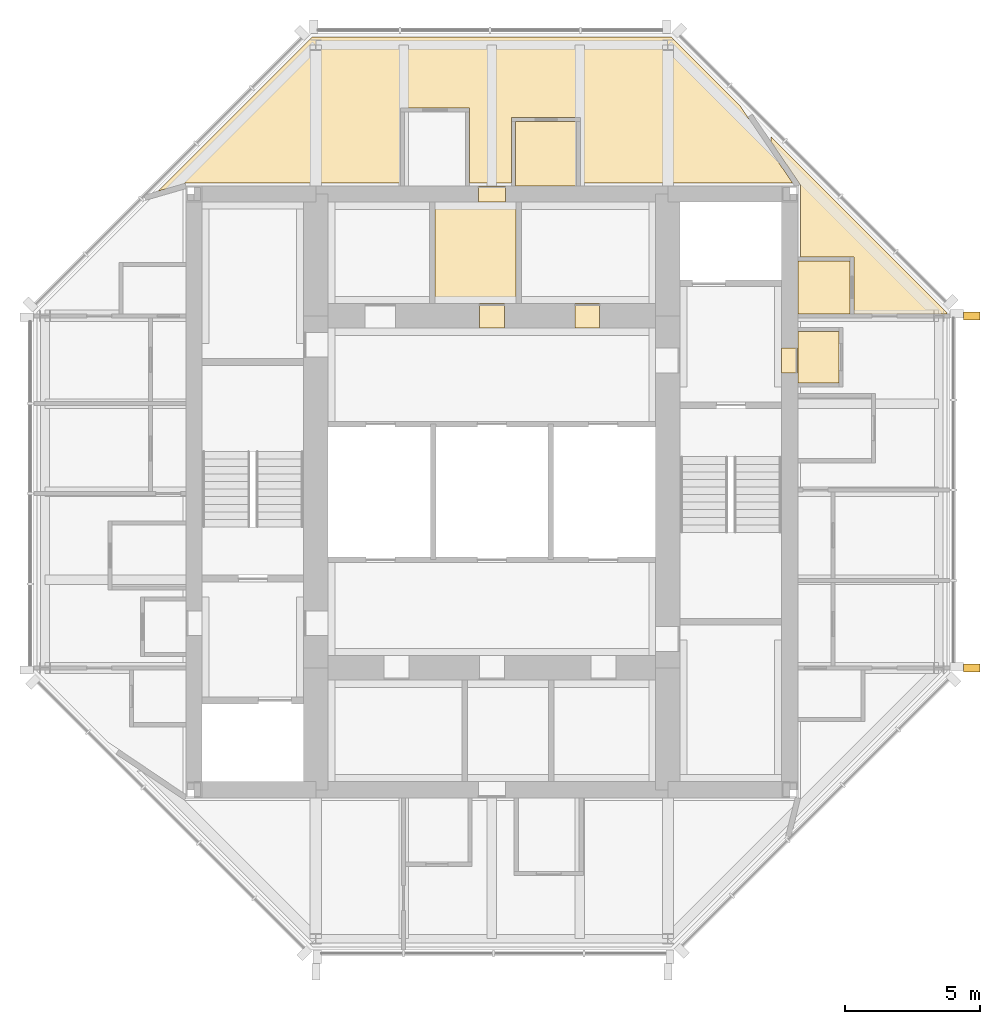
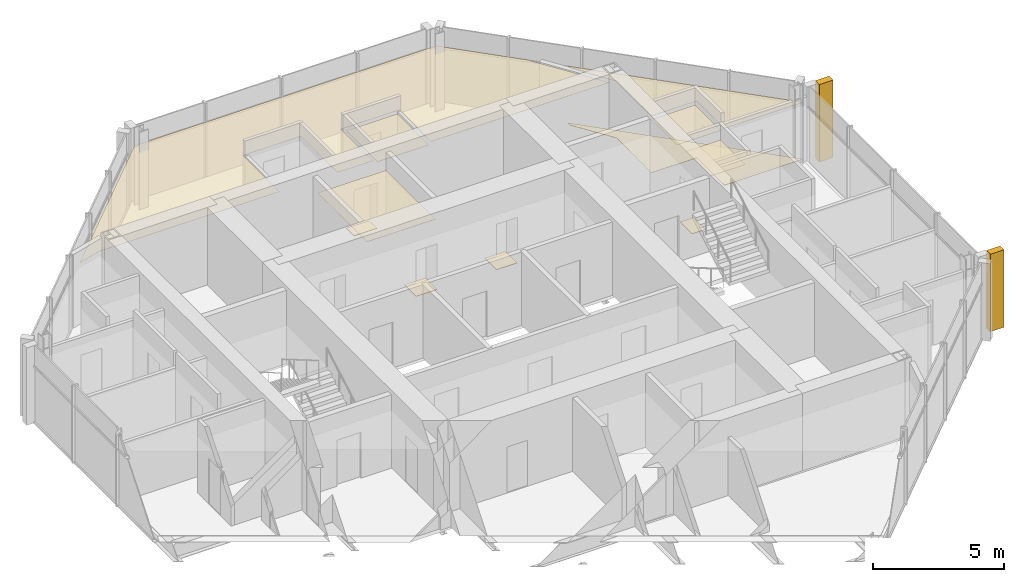
# One storey, part 9 of 9: 13 coverings.
"""IFC4 building model written with IfcOpenShell, lengths in metres."""

import ifcopenshell
import ifcopenshell.guid

model = None  # the IFC model being written
_history = None  # IfcOwnerHistory: only IFC2X3 demands one
_inside = {}  # id of a spatial element -> (the spatial element, [elements in it])
_under = {}  # id of a project, library or spatial element -> (it, [spatial elements below it])
_declared = {}  # id of a project -> (the project, [libraries it declares])
_typed = {}  # id of a type object -> (the type object, [elements of that type])
_made_of = {}  # id of a material, layer set ... -> (it, [elements and type objects made of it])


def new_model(schema):
    """Start an empty IFC model of exactly this schema.

    Asked for "IFC4X3", IfcOpenShell would pick the latest addendum, in which some entities
    have other attributes; the version numbers below select the first issue.
    IFC2X3 requires an IfcOwnerHistory on every rooted entity: one is made here for all.
    """
    global model, _history
    if schema == "IFC4X3":
        model = ifcopenshell.file(schema_version=(4, 3, 0, 0))
    else:
        model = ifcopenshell.file(schema=schema)
    _inside.clear()
    _under.clear()
    _declared.clear()
    _typed.clear()
    _made_of.clear()
    _history = None
    if model.schema == "IFC2X3":
        org = make("IfcOrganization", Name="unknown")
        user = make(
            "IfcPersonAndOrganization",
            ThePerson=make("IfcPerson", FamilyName="unknown"),
            TheOrganization=org,
        )
        app = make(
            "IfcApplication",
            ApplicationDeveloper=org,
            Version="unknown",
            ApplicationFullName="unknown",
            ApplicationIdentifier="unknown",
        )
        _history = make(
            "IfcOwnerHistory",
            OwningUser=user,
            OwningApplication=app,
            ChangeAction="ADDED",
            CreationDate=0,
        )
    return model


def make(cls, **values):
    """One entity of the class cls with the attributes given. An attribute that is None is left unset."""
    return model.create_entity(
        cls, **{name: value for name, value in values.items() if value is not None}
    )


def rooted(cls, **values):
    """An entity with a GlobalId (a new one), such as an element, a storey or a relation."""
    return make(cls, GlobalId=ifcopenshell.guid.new(), OwnerHistory=_history, **values)


def si_unit(unit_type, name, prefix=None):
    """IfcSIUnit, for example si_unit("LENGTHUNIT", "METRE", prefix="MILLI")."""
    return make("IfcSIUnit", UnitType=unit_type, Prefix=prefix, Name=name)


def assignment(units):
    """IfcUnitAssignment: the units of a project."""
    return None if units is None else make("IfcUnitAssignment", Units=units)


def point(xyz):
    """IfcCartesianPoint."""
    return None if xyz is None else make("IfcCartesianPoint", Coordinates=xyz)


def direction(xyz):
    """IfcDirection."""
    return None if xyz is None else make("IfcDirection", DirectionRatios=xyz)


def frame(location, z_axis=None, x_axis=None):
    """IfcAxis2Placement3D, a coordinate frame: its origin and axes. An axis left out is left unset."""
    return make(
        "IfcAxis2Placement3D",
        Location=point(location),
        Axis=direction(z_axis),
        RefDirection=direction(x_axis),
    )


def frame_2d(location, x_axis=None):
    """IfcAxis2Placement2D, a coordinate frame in the plane: its origin and x axis."""
    return make(
        "IfcAxis2Placement2D", Location=point(location), RefDirection=direction(x_axis)
    )


def origin():
    """The frame at (0, 0, 0) with its axes left unset."""
    return frame((0.0, 0.0, 0.0))


def origin_2d():
    """The frame at (0, 0) in the plane with its x axis left unset."""
    return frame_2d((0.0, 0.0))


def place(relative_to, where):
    """IfcLocalPlacement: puts the frame where relative to a parent placement (None: the world)."""
    return make(
        "IfcLocalPlacement", PlacementRelTo=relative_to, RelativePlacement=where
    )


def context(
    kind, dimensions, precision=None, world=None, true_north=None, identifier=None
):
    """IfcGeometricRepresentationContext, for example the 3D "Model" context."""
    return make(
        "IfcGeometricRepresentationContext",
        ContextIdentifier=identifier,
        ContextType=kind,
        CoordinateSpaceDimension=dimensions,
        Precision=precision,
        WorldCoordinateSystem=world,
        TrueNorth=true_north,
    )


def subcontext(parent, identifier, kind, view, scale=None):
    """IfcGeometricRepresentationSubContext, for example "Body" below "Model"."""
    return make(
        "IfcGeometricRepresentationSubContext",
        ContextIdentifier=identifier,
        ContextType=kind,
        ParentContext=parent,
        TargetScale=scale,
        TargetView=view,
    )


def project(units=None, contexts=None):
    """IfcProject with its units and contexts."""
    return rooted(
        "IfcProject",
        Name="project",
        RepresentationContexts=contexts,
        UnitsInContext=assignment(units),
    )


def spatial(cls, under=None, at=None, **own):
    """A site, building, storey or space (cls), placed at a placement, below another one or the project."""
    s = rooted(cls, ObjectPlacement=at, **own)
    if under is not None:
        _under.setdefault(under.id(), (under, []))[1].append(s)
    return s


def polyline(points):
    """IfcPolyline through the points."""
    return make("IfcPolyline", Points=[point(p) for p in points])


def profile(cls, at=None, kind="AREA", **sizes):
    """A parametric profile (cls). Its sizes go by their IFC names, for example OverallWidth=200.0."""
    return make(cls, ProfileType=kind, Position=at, **sizes)


def rectangle(**sizes):
    """IfcRectangleProfileDef."""
    return profile("IfcRectangleProfileDef", **sizes)


def outline(outer, holes=None, kind="AREA"):
    """IfcArbitraryClosedProfileDef: a profile drawn as a closed curve; with holes, ...WithVoids."""
    if holes is None:
        return make("IfcArbitraryClosedProfileDef", ProfileType=kind, OuterCurve=outer)
    return make(
        "IfcArbitraryProfileDefWithVoids",
        ProfileType=kind,
        OuterCurve=outer,
        InnerCurves=holes,
    )


def extrude(swept, where, along, depth):
    """IfcExtrudedAreaSolid: the profile swept, set in the frame where, extruded along a direction by depth."""
    return make(
        "IfcExtrudedAreaSolid",
        SweptArea=swept,
        Position=where,
        ExtrudedDirection=direction(along),
        Depth=depth,
    )


def shape(context_of_items, identifier, shape_type, items):
    """IfcShapeRepresentation: the items that make up one representation, for example the "Body"."""
    return make(
        "IfcShapeRepresentation",
        ContextOfItems=context_of_items,
        RepresentationIdentifier=identifier,
        RepresentationType=shape_type,
        Items=items,
    )


def material(Name=None, Category=None):
    """IfcMaterial."""
    return make("IfcMaterial", Name=Name, Category=Category)


def layer(
    of_material, thickness, ventilated=None, Name=None, Category=None, Priority=None
):
    """IfcMaterialLayer: one layer of a wall or slab, of a material (None: an air gap)."""
    return make(
        "IfcMaterialLayer",
        Material=of_material,
        LayerThickness=thickness,
        IsVentilated=ventilated,
        Name=Name,
        Category=Category,
        Priority=Priority,
    )


def layer_set(layers, Name=None):
    """IfcMaterialLayerSet."""
    return make("IfcMaterialLayerSet", MaterialLayers=layers, LayerSetName=Name)


def made_of(thing, what):
    """Note that an element or type object is made of a material, layer set ...; save() writes the relation."""
    if what is not None:
        _made_of.setdefault(what.id(), (what, []))[1].append(thing)
    return thing


def type_object(cls, material=None, **own):
    """A type object (cls), such as IfcWallType, which elements share."""
    return made_of(rooted(cls, **own), material)


def element(
    cls,
    number,
    at=None,
    inside=None,
    cuts=None,
    type_object=None,
    material=None,
    context=None,
    identifier="Body",
    shape_type=None,
    held_by="IfcProductDefinitionShape",
    body=None,
    shapes=None,
    **own,
):
    """One element of the class cls, such as IfcWall. Its Tag is "e" and its number.

    at: its placement. inside: the storey or other place that contains it. cuts: it is an
    opening in that element (IfcRelVoidsElement). A single representation is given by context,
    identifier, shape_type and body (its items); several are given by shapes. held_by: the class
    of the entity that holds the representations. save() writes the other relations.
    """
    e = rooted(cls, Tag="e%d" % number, ObjectPlacement=at, **own)
    if body is not None:
        shapes = [shape(context, identifier, shape_type, body)]
    if shapes is not None:
        e.Representation = make(held_by, Representations=shapes)
    if inside is not None:
        _inside.setdefault(inside.id(), (inside, []))[1].append(e)
    if cuts is not None:
        rooted(
            "IfcRelVoidsElement", RelatingBuildingElement=cuts, RelatedOpeningElement=e
        )
    if type_object is not None:
        _typed.setdefault(type_object.id(), (type_object, []))[1].append(e)
    return made_of(e, material)


def aggregate(whole, parts):
    """IfcRelAggregates: a whole, such as a stair, and the parts it consists of."""
    return rooted("IfcRelAggregates", RelatingObject=whole, RelatedObjects=parts)


def save(model, path):
    """Write the relations noted so far, then the file.

    IfcRelAggregates (storeys below a building ...), IfcRelContainedInSpatialStructure (elements
    in a storey), IfcRelDefinesByType, IfcRelAssociatesMaterial and IfcRelDeclares: one each for
    every whole, place, type object, material and project.
    """
    for whole, parts in _under.values():
        aggregate(whole, parts)
    for where, things in _inside.values():
        rooted(
            "IfcRelContainedInSpatialStructure",
            RelatedElements=things,
            RelatingStructure=where,
        )
    for kind, things in _typed.values():
        rooted("IfcRelDefinesByType", RelatedObjects=things, RelatingType=kind)
    for what, things in _made_of.values():
        rooted("IfcRelAssociatesMaterial", RelatedObjects=things, RelatingMaterial=what)
    for by, libraries in _declared.values():
        rooted("IfcRelDeclares", RelatingContext=by, RelatedDefinitions=libraries)
    model.write(path)


model = new_model("IFC4")

# Units and contexts
model_context = context("Model", 3, precision=1e-05, world=origin(), true_north=direction((0.0, 1.0)))
body_context = subcontext(model_context, "Body", "Model", "MODEL_VIEW")
ifc_project = project(units=[si_unit("LENGTHUNIT", "METRE"), si_unit("AREAUNIT", "SQUARE_METRE"), si_unit("VOLUMEUNIT", "CUBIC_METRE"), si_unit("PLANEANGLEUNIT", "RADIAN"), si_unit("MASSUNIT", "GRAM", prefix="KILO")], contexts=[model_context])

# Site, building, storey
site_placement = place(None, origin())
site = spatial("IfcSite", under=ifc_project, at=site_placement, CompositionType="ELEMENT")
building_placement = place(site_placement, origin())
building = spatial("IfcBuilding", under=site, at=building_placement, Name="Trevanion Tower", CompositionType="ELEMENT")
storey_placement = place(building_placement, frame((0.0, 0.0, 288.39990234375)))
storey = spatial("IfcBuildingStorey", under=building, at=storey_placement, Name="L71", CompositionType="ELEMENT", Elevation=288.39990234375)

# Coverings
ifc_material_1 = material(Name="Mineral fibre acoustic tiles in exposed grid", Category="mineral fibre")
ifc_layer_1 = layer(ifc_material_1, 0.02001953125)
ifc_layer_set_1 = layer_set([ifc_layer_1], Name="CL2 acoustic tile ceiling 20")
covering_type_1 = type_object("IfcCoveringType", Name="CL2 acoustic tile ceiling 20", PredefinedType="CEILING", material=ifc_layer_set_1)
covering_1_placement = place(storey_placement, frame((0.0, 0.0, 2.56005859375)))
element("IfcCovering", 1, at=covering_1_placement, inside=storey, type_object=covering_type_1, Name="CL2 L71-CNC", PredefinedType="CEILING", context=body_context, shape_type="SweptSolid", body=[
    extrude(outline(polyline([(0.89990234375, 6.949951171875), (0.89990234375, 10.699951171875), (-2.10009765625, 10.699951171875), (-2.10009765625, 6.949951171875), (0.89990234375, 6.949951171875)])), origin(), (0.0, 0.0, 1.0), 0.02001953125),
])
ifc_material_2 = material(Name="Gypsum plasterboard on suspended metal furring", Category="gypsum")
ifc_layer_2 = layer(ifc_material_2, 0.012939453125)
ifc_layer_set_2 = layer_set([ifc_layer_2], Name="CL3 plasterboard ceiling 13")
covering_type_2 = type_object("IfcCoveringType", Name="CL3 plasterboard ceiling 13", PredefinedType="CEILING", material=ifc_layer_set_2)
covering_2_placement = place(storey_placement, frame((0.0, 0.0, 2.7001953125)))
element("IfcCovering", 2, at=covering_2_placement, inside=storey, type_object=covering_type_2, Name="CL3 L71-REE", PredefinedType="CEILING", context=body_context, shape_type="SweptSolid", body=[
    extrude(outline(polyline([(12.824951171875, 4.02490234375), (12.824951171875, 5.925048828125), (11.300048828125, 5.925048828125), (11.300048828125, 4.02490234375), (12.824951171875, 4.02490234375)])), origin(), (0.0, 0.0, 1.0), 0.012939453125),
])
covering_3_placement = place(storey_placement, frame((0.0, 0.0, 2.64111328125)))
element("IfcCovering", 3, at=covering_3_placement, inside=storey, type_object=covering_type_2, Name="CL3 L71-REB3", PredefinedType="CEILING", context=body_context, shape_type="SweptSolid", body=[
    extrude(outline(polyline([(13.375, 6.574951171875), (13.375, 8.675048828125), (11.39990234375, 8.675048828125), (11.39990234375, 11.330810546875), (10.300048828125, 12.94384765625), (10.300048828125, 13.124267578125), (16.800048828125, 6.624267578125), (16.800048828125, 6.574951171875), (13.375, 6.574951171875)])), origin(), (0.0, 0.0, 1.0), 0.012939453125),
])
covering_4_placement = place(storey_placement, frame((0.0, 0.0, 2.64111328125)))
element("IfcCovering", 4, at=covering_4_placement, inside=storey, type_object=covering_type_2, Name="CL3 L71-RNL", PredefinedType="CEILING", context=body_context, shape_type="SweptSolid", body=[
    extrude(outline(polyline([(9.15185546875, 14.272216796875), (11.11083984375, 11.39990234375), (3.27490234375, 11.39990234375), (3.27490234375, 13.824951171875), (0.72509765625, 13.824951171875), (0.72509765625, 11.39990234375), (-0.824951171875, 11.39990234375), (-0.824951171875, 14.175048828125), (-3.375, 14.175048828125), (-3.375, 11.39990234375), (-11.314208984375, 11.39990234375), (-12.313720703125, 11.110595703125), (-6.624267578125, 16.800048828125), (6.624267578125, 16.800048828125), (9.15185546875, 14.272216796875)])), origin(), (0.0, 0.0, 1.0), 0.012939453125),
])
ifc_material_3 = material(Name="Moisture-resistant gypsum board on suspended metal furring", Category="gypsum")
ifc_layer_3 = layer(ifc_material_3, 0.01611328125)
ifc_layer_set_3 = layer_set([ifc_layer_3], Name="CL4 moisture-resistant board ceiling 16")
covering_type_3 = type_object("IfcCoveringType", Name="CL4 moisture-resistant board ceiling 16", PredefinedType="CEILING", material=ifc_layer_set_3)
covering_5_placement = place(storey_placement, frame((0.0, 0.0, 2.60009765625)))
element("IfcCovering", 5, at=covering_5_placement, inside=storey, type_object=covering_type_3, Name="CL4 L71-REW", PredefinedType="CEILING", context=body_context, shape_type="SweptSolid", body=[
    extrude(outline(polyline([(13.22509765625, 6.574951171875), (13.22509765625, 8.52490234375), (11.300048828125, 8.52490234375), (11.300048828125, 6.574951171875), (13.22509765625, 6.574951171875)])), origin(), (0.0, 0.0, 1.0), 0.01611328125),
])
covering_6_placement = place(storey_placement, frame((0.0, 0.0, 2.60009765625)))
element("IfcCovering", 6, at=covering_6_placement, inside=storey, type_object=covering_type_3, Name="CL4 L71-RNT", PredefinedType="CEILING", context=body_context, shape_type="SweptSolid", body=[
    extrude(outline(polyline([(3.125, 13.675048828125), (0.875, 13.675048828125), (0.875, 11.300048828125), (3.125, 11.300048828125), (3.125, 13.675048828125)])), origin(), (0.0, 0.0, 1.0), 0.01611328125),
])
ifc_material_4 = material(Name="Cast bronze fin on aluminium carrier", Category="aluminium")
covering_type_4 = type_object("IfcCoveringType", Name="F1 bronze fin", PredefinedType="CLADDING", material=ifc_material_4)
for number, where, z_axis, x_axis, name in (
    (7, (17.72509765625, -6.5, -0.18994140625), (0.0, 0.0, 1.0), (0.0, 1.0, 0.0), "F1 L71 east -6.5"),
    (8, (17.72509765625, 6.5, -0.18994140625), (0.0, 0.0, 1.0), (0.0, 1.0, 0.0), "F1 L71 east +6.5"),
):
    element("IfcCovering", number, at=place(storey_placement, frame(where, z_axis=z_axis, x_axis=x_axis)), inside=storey, type_object=covering_type_4, Name=name, PredefinedType="CLADDING", context=body_context, shape_type="SweptSolid", body=[
        extrude(rectangle(XDim=0.300048828125, YDim=0.60009765625, at=origin_2d()), origin(), (0.0, 0.0, 1.0), 3.60009765625),
    ])
ifc_material_5 = material(Name="Terrazzo, brass divider strips", Category="stone")
ifc_layer_4 = layer(ifc_material_5, 0.02001953125)
ifc_layer_set_4 = layer_set([ifc_layer_4], Name="FF1 terrazzo flooring")
covering_type_5 = type_object("IfcCoveringType", Name="FF1 terrazzo flooring", PredefinedType="FLOORING", material=ifc_layer_set_4)
covering_7_placement = place(storey_placement, origin())
element("IfcCovering", 9, at=covering_7_placement, inside=storey, type_object=covering_type_5, Name="FF1 threshold 71-001", PredefinedType="FLOORING", context=body_context, shape_type="SweptSolid", body=[
    extrude(outline(polyline([(11.300048828125, 4.392578125), (11.300048828125, 5.3076171875), (10.699951171875, 5.3076171875), (10.699951171875, 4.392578125), (11.300048828125, 4.392578125)])), origin(), (0.0, 0.0, 1.0), 0.02001953125),
])
covering_8_placement = place(storey_placement, origin())
element("IfcCovering", 10, at=covering_8_placement, inside=storey, type_object=covering_type_5, Name="FF1 threshold 71-017", PredefinedType="FLOORING", context=body_context, shape_type="SweptSolid", body=[
    extrude(outline(polyline([(0.45751953125, 6.949951171875), (-0.45751953125, 6.949951171875), (-0.45751953125, 6.050048828125), (0.45751953125, 6.050048828125), (0.45751953125, 6.949951171875)])), origin(), (0.0, 0.0, 1.0), 0.02001953125),
])
covering_9_placement = place(storey_placement, origin())
element("IfcCovering", 11, at=covering_9_placement, inside=storey, type_object=covering_type_5, Name="FF1 threshold 71-018", PredefinedType="FLOORING", context=body_context, shape_type="SweptSolid", body=[
    extrude(outline(polyline([(0.5, 11.300048828125), (-0.5, 11.300048828125), (-0.5, 10.699951171875), (0.5, 10.699951171875), (0.5, 11.300048828125)])), origin(), (0.0, 0.0, 1.0), 0.02001953125),
])
covering_10_placement = place(storey_placement, origin())
element("IfcCovering", 12, at=covering_10_placement, inside=storey, type_object=covering_type_5, Name="FF1 threshold 71-020", PredefinedType="FLOORING", context=body_context, shape_type="SweptSolid", body=[
    extrude(outline(polyline([(3.982421875, 6.949951171875), (3.0673828125, 6.949951171875), (3.0673828125, 6.050048828125), (3.982421875, 6.050048828125), (3.982421875, 6.949951171875)])), origin(), (0.0, 0.0, 1.0), 0.02001953125),
])
ifc_material_6 = material(Name="Engineered oak", Category="wood")
ifc_layer_5 = layer(ifc_material_6, 0.014892578125)
ifc_layer_set_5 = layer_set([ifc_layer_5], Name="FF3 timber flooring")
covering_type_6 = type_object("IfcCoveringType", Name="FF3 timber flooring", PredefinedType="FLOORING", material=ifc_layer_set_5)
covering_11_placement = place(storey_placement, origin())
element("IfcCovering", 13, at=covering_11_placement, inside=storey, type_object=covering_type_6, Name="FF3 L71-REB3", PredefinedType="FLOORING", context=body_context, shape_type="SweptSolid", body=[
    extrude(outline(polyline([(13.375, 6.574951171875), (13.375, 8.675048828125), (11.39990234375, 8.675048828125), (11.39990234375, 11.330810546875), (10.300048828125, 12.94384765625), (10.300048828125, 13.124267578125), (16.800048828125, 6.624267578125), (16.800048828125, 6.574951171875), (13.375, 6.574951171875)])), origin(), (0.0, 0.0, 1.0), 0.01513671875),
])

save(model, "model.ifc")
